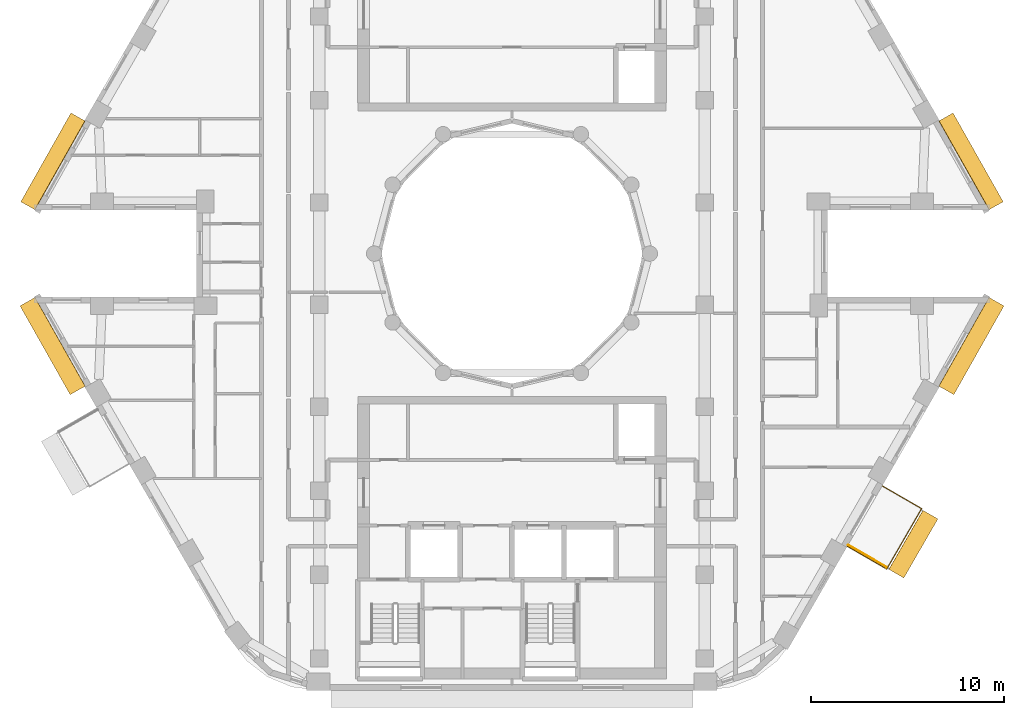
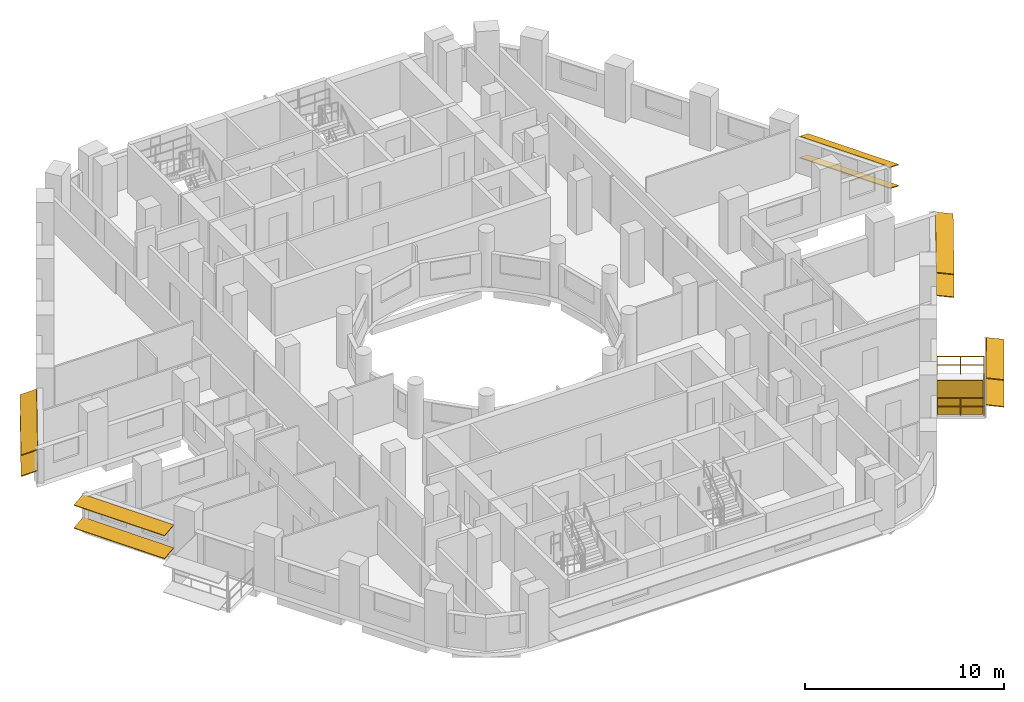
# One storey, part 14 of 15: 11 shading devices, 1 railing.
"""IFC4 building model written with IfcOpenShell, lengths in metres."""

from ifc_helpers import new_model, si_unit, direction, frame, origin, origin_2d, place, context, subcontext, project, spatial, rectangle, circle, extrude, material, layer, layer_set, material_profile, profile_set, type_object, element, save


model = new_model("IFC4")

# Units and contexts
model_context = context("Model", 3, precision=1e-05, world=origin(), true_north=direction((0.0, 1.0)))
body_context = subcontext(model_context, "Body", "Model", "MODEL_VIEW")
ifc_project = project(units=[si_unit("LENGTHUNIT", "METRE"), si_unit("AREAUNIT", "SQUARE_METRE"), si_unit("VOLUMEUNIT", "CUBIC_METRE"), si_unit("PLANEANGLEUNIT", "RADIAN"), si_unit("MASSUNIT", "GRAM", prefix="KILO")], contexts=[model_context])

# Site, building, storey
site_placement = place(None, origin())
site = spatial("IfcSite", under=ifc_project, at=site_placement, CompositionType="ELEMENT")
building_placement = place(site_placement, origin())
building = spatial("IfcBuilding", under=site, at=building_placement, Name="Nakaniwa Court", CompositionType="ELEMENT")
storey_placement = place(building_placement, frame((0.0, 0.0, 216.300048828125)))
storey = spatial("IfcBuildingStorey", under=building, at=storey_placement, Name="L57", CompositionType="ELEMENT", Elevation=216.300048828125)

# Railing
ifc_material_1 = material(Name="Black powder-coated steel flat bar balustrade S275", Category="steel")
railing_type = type_object("IfcRailingType", Name="Black metal balcony guard 1100", PredefinedType="GUARDRAIL", material=ifc_material_1)
railing_placement = place(storey_placement, frame((97.390869140625, 64.822021484375, -0.050048828125)))
element("IfcRailing", 1, at=railing_placement, inside=storey, type_object=railing_type, Name="L57 balcony guard 02", PredefinedType="GUARDRAIL", context=body_context, shape_type="SweptSolid", body=[
    extrude(circle(Radius=0.02392578125, at=origin_2d()), frame((0.0, 0.0, 1.076171875), z_axis=(0.866006432019, -0.500032858622, 0.0), x_axis=(0.500032858622, 0.866006432019, 0.0)), (0.0, 0.0, 1.0), 2.360107421875),
    extrude(circle(Radius=0.02392578125, at=origin_2d()), frame((0.0, 0.0, 0.550048828125), z_axis=(0.866006432019, -0.500032858622, 0.0), x_axis=(0.500032858622, 0.866006432019, 0.0)), (0.0, 0.0, 1.0), 2.360107421875),
    extrude(circle(Radius=0.02392578125, at=origin_2d()), frame((2.0439453125, -1.18017578125, 1.076171875), z_axis=(0.499987379426, 0.866032690154, 0.0), x_axis=(-0.866032690154, 0.499987379426, 0.0)), (0.0, 0.0, 1.0), 3.6162109375),
    extrude(circle(Radius=0.02392578125, at=origin_2d()), frame((2.0439453125, -1.18017578125, 0.550048828125), z_axis=(0.499987379426, 0.866032690154, 0.0), x_axis=(-0.866032690154, 0.499987379426, 0.0)), (0.0, 0.0, 1.0), 3.6162109375),
    extrude(circle(Radius=0.02392578125, at=origin_2d()), frame((3.85205078125, 1.95166015625, 1.076171875), z_axis=(-0.866025363618, 0.50000006957, 0.0), x_axis=(-0.50000006957, -0.866025363618, 0.0)), (0.0, 0.0, 1.0), 2.35986328125),
    extrude(circle(Radius=0.02392578125, at=origin_2d()), frame((3.85205078125, 1.95166015625, 0.550048828125), z_axis=(-0.866025363618, 0.50000006957, 0.0), x_axis=(-0.50000006957, -0.866025363618, 0.0)), (0.0, 0.0, 1.0), 2.35986328125),
    extrude(circle(Radius=0.02099609375, at=origin_2d()), origin(), (0.0, 0.0, 1.0), 1.052001953125),
    extrude(circle(Radius=0.02099609375, at=origin_2d()), frame((1.02197265625, -0.590087890625, 0.0)), (0.0, 0.0, 1.0), 1.052001953125),
    extrude(circle(Radius=0.02099609375, at=origin_2d()), frame((2.0439453125, -1.18017578125, 0.0)), (0.0, 0.0, 1.0), 1.052001953125),
    extrude(circle(Radius=0.02099609375, at=origin_2d()), frame((2.49609375, -0.397216796875, 0.0)), (0.0, 0.0, 1.0), 1.052001953125),
    extrude(circle(Radius=0.02099609375, at=origin_2d()), frame((2.947998046875, 0.3857421875, 0.0)), (0.0, 0.0, 1.0), 1.052001953125),
    extrude(circle(Radius=0.02099609375, at=origin_2d()), frame((3.39990234375, 1.168701171875, 0.0)), (0.0, 0.0, 1.0), 1.052001953125),
    extrude(circle(Radius=0.02099609375, at=origin_2d()), frame((3.85205078125, 1.95166015625, 0.0)), (0.0, 0.0, 1.0), 1.052001953125),
    extrude(circle(Radius=0.02099609375, at=origin_2d()), frame((2.830078125, 2.54150390625, 0.0)), (0.0, 0.0, 1.0), 1.052001953125),
    extrude(circle(Radius=0.02099609375, at=origin_2d()), frame((1.808349609375, 3.131591796875, 0.0)), (0.0, 0.0, 1.0), 1.052001953125),
])

# Shading devices
ifc_material_2 = material(Name="Black powder-coated aluminium slat screen", Category="aluminium")
ifc_layer = layer(ifc_material_2, 0.0400390625)
ifc_layer_set = layer_set([ifc_layer], Name="Black powder-coated aluminium slat screen")
shading_device_type_1 = type_object("IfcShadingDeviceType", Name="Koshi screen black metal", PredefinedType="USERDEFINED", material=ifc_layer_set)
shading_device_placement = place(storey_placement, frame((98.43115234375, 64.313720703125, -0.050048828125), z_axis=(0.0, 0.0, 1.0), x_axis=(0.500016626402, 0.866015804314, 0.0)))
element("IfcShadingDevice", 2, at=shading_device_placement, inside=storey, type_object=shading_device_type_1, Name="L57 balcony SCREEN 02 W", ObjectType="KOSHI SCREEN", PredefinedType="USERDEFINED", context=body_context, shape_type="SweptSolid", body=[
    extrude(rectangle(XDim=0.0400390625, YDim=2.31005859375, at=origin_2d()), origin(), (0.0, 0.0, 1.0), 2.10009765625),
])
ifc_material_3 = material(Name="Perforated charcoal ceramic louvre blade")
ifc_material_profile = material_profile(ifc_material_3, rectangle(XDim=0.89990234375, YDim=0.050048828125, at=origin_2d()), Name="Perforated ceramic louvre blade")
ifc_profile_set = profile_set([ifc_material_profile], Name="Perforated charcoal ceramic louvre blade")
shading_device_type_2 = type_object("IfcShadingDeviceType", Name="Perforated ceramic louvre blade", PredefinedType="JALOUSIE", material=ifc_profile_set)
for number, where, z_axis, x_axis, name in (
    (3, (99.930419921875, 63.40185546875, 0.5), (0.500037187688, 0.866003932398, 0.0), (-0.858595148706, 0.495759300229, 0.13052619222), "L57 perforated ceramic louvre blade 02 1"),
    (4, (99.930419921875, 63.40185546875, 2.14990234375), (0.500037187688, 0.866003932398, 0.0), (-0.858595148706, 0.495759300229, 0.13052619222), "L57 perforated ceramic louvre blade 02 2"),
):
    element("IfcShadingDevice", number, at=place(storey_placement, frame(where, z_axis=z_axis, x_axis=x_axis)), inside=storey, type_object=shading_device_type_2, Name=name, PredefinedType="JALOUSIE", context=body_context, shape_type="SweptSolid", body=[
        extrude(rectangle(XDim=0.89990234375, YDim=0.050048828125, at=origin_2d()), origin(), (0.0, 0.0, 1.0), 3.536376953125),
    ])
for number, where, z_axis, x_axis, name in (
    (5, (105.103759765625, 82.480224609375, 0.550048828125), (-0.492005517921, 0.870592080331, 0.0), (-0.804902454764, -0.454881750109, 0.38107037635), "L57 perforated ceramic louvre blade w02 1"),
    (6, (105.103759765625, 82.480224609375, 1.845458984375), (-0.492005517921, 0.870592080331, 0.0), (-0.804902454764, -0.454881750109, 0.38107037635), "L57 perforated ceramic louvre blade w02 2"),
    (7, (57.497314453125, 87.082763671875, 0.550048828125), (-0.492005517921, -0.870592080331, 0.0), (0.804902454764, -0.454881750109, 0.38107037635), "L57 perforated ceramic louvre blade w14 1"),
    (8, (57.497314453125, 87.082763671875, 1.845458984375), (-0.492005517921, -0.870592080331, 0.0), (0.804902454764, -0.454881750109, 0.38107037635), "L57 perforated ceramic louvre blade w14 2"),
):
    element("IfcShadingDevice", number, at=place(storey_placement, frame(where, z_axis=z_axis, x_axis=x_axis)), inside=storey, type_object=shading_device_type_2, Name=name, PredefinedType="JALOUSIE", context=body_context, shape_type="SweptSolid", body=[
        extrude(rectangle(XDim=0.89990234375, YDim=0.050048828125, at=origin_2d()), origin(), (0.0, 0.0, 1.0), 5.28662109375),
    ])
for number, where, z_axis, x_axis, name in (
    (9, (54.87548828125, 77.508056640625, 0.550048828125), (0.492040518232, -0.870572299363, 0.0), (0.862924792041, 0.487718208105, 0.132256390257), "L57 perforated ceramic louvre blade w20 1"),
    (10, (54.87548828125, 77.508056640625, 1.95556640625), (0.492040518232, -0.870572299363, 0.0), (0.862924792041, 0.487718208105, 0.132256390257), "L57 perforated ceramic louvre blade w20 2"),
    (11, (102.523193359375, 72.905517578125, 0.550048828125), (0.492040518232, 0.870572299363, 0.0), (-0.862924792041, 0.487718208105, 0.132256390257), "L57 perforated ceramic louvre blade w32 1"),
    (12, (102.523193359375, 72.905517578125, 1.95556640625), (0.492040518232, 0.870572299363, 0.0), (-0.862924792041, 0.487718208105, 0.132256390257), "L57 perforated ceramic louvre blade w32 2"),
):
    element("IfcShadingDevice", number, at=place(storey_placement, frame(where, z_axis=z_axis, x_axis=x_axis)), inside=storey, type_object=shading_device_type_2, Name=name, PredefinedType="JALOUSIE", context=body_context, shape_type="SweptSolid", body=[
        extrude(rectangle(XDim=0.89990234375, YDim=0.050048828125, at=origin_2d()), origin(), (0.0, 0.0, 1.0), 5.286865234375),
    ])

save(model, "model.ifc")
